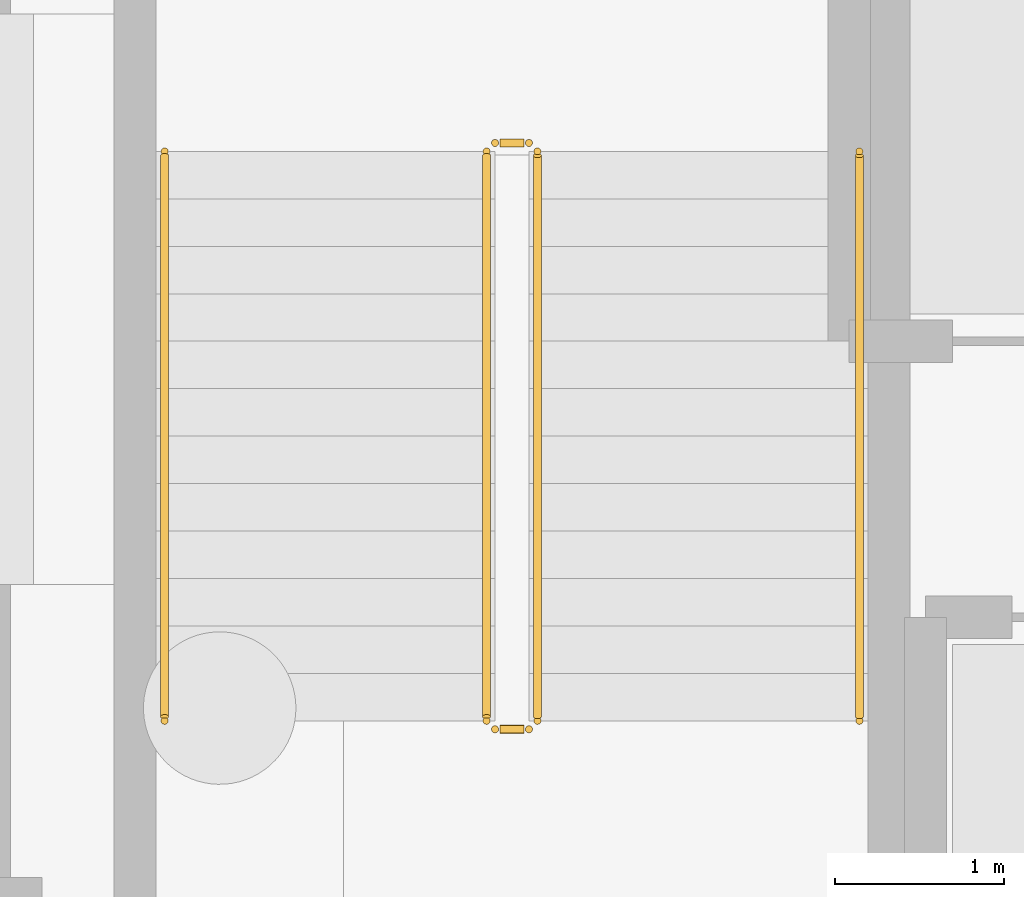
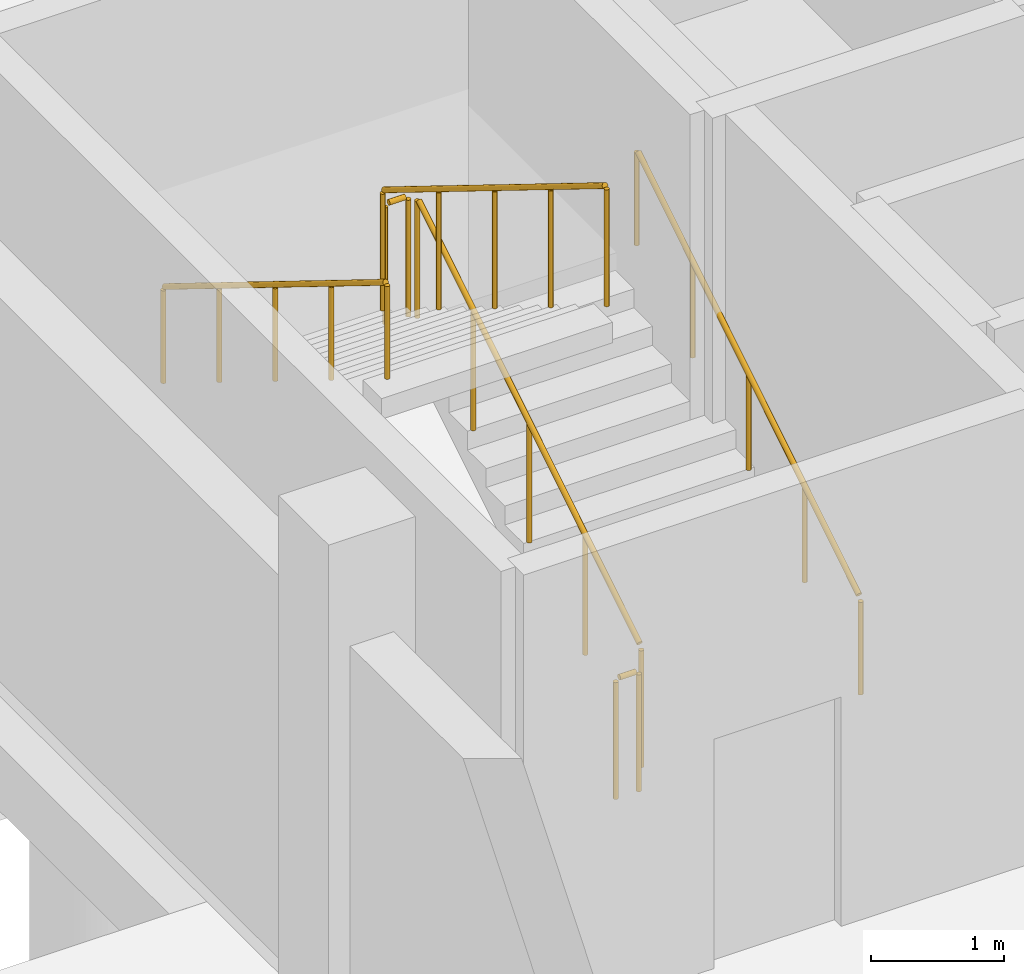
# One storey, part 18 of 22: 6 railings.
"""IFC4 building model written with IfcOpenShell, lengths in metres."""

from ifc_helpers import new_model, si_unit, direction, frame, origin, origin_2d, place, context, subcontext, project, spatial, circle, extrude, material, type_object, element, save


model = new_model("IFC4")

# Units and contexts
model_context = context("Model", 3, precision=1e-05, world=origin(), true_north=direction((0.0, 1.0)))
body_context = subcontext(model_context, "Body", "Model", "MODEL_VIEW")
ifc_project = project(units=[si_unit("LENGTHUNIT", "METRE"), si_unit("AREAUNIT", "SQUARE_METRE"), si_unit("VOLUMEUNIT", "CUBIC_METRE"), si_unit("PLANEANGLEUNIT", "RADIAN"), si_unit("MASSUNIT", "GRAM", prefix="KILO")], contexts=[model_context])

# Site, building, storey
site_placement = place(None, origin())
site = spatial("IfcSite", under=ifc_project, at=site_placement, CompositionType="ELEMENT")
building_placement = place(site_placement, origin())
building = spatial("IfcBuilding", under=site, at=building_placement, Name="Zuvorla Pavilion Media Centre", CompositionType="ELEMENT")
storey_placement = place(building_placement, frame((0.0, 0.0, -4.5)))
storey = spatial("IfcBuildingStorey", under=building, at=storey_placement, Name="B01", CompositionType="ELEMENT", Elevation=-4.5)

# Railings
ifc_material_1 = material(Name="Powder-coated steel balustrade guard", Category="steel")
railing_type_1 = type_object("IfcRailingType", Name="RL-INT-GRD", PredefinedType="BALUSTRADE", material=ifc_material_1)
railing_1_placement = place(storey_placement, frame((44.89990234375, 37.699951171875, 0.173095703125)))
element("IfcRailing", 1, at=railing_1_placement, inside=storey, type_object=railing_type_1, Name="B01 ST-03 stair guard 1", PredefinedType="BALUSTRADE", context=body_context, shape_type="SweptSolid", body=[
    extrude(circle(Radius=0.02392578125, at=origin_2d()), frame((0.0, 0.024658203125, 1.111328125), z_axis=(0.0, 0.850623216509, 0.525775754039), x_axis=(-1.0, 0.0, 0.0)), (0.0, 0.0, 1.0), 3.892578125),
    extrude(circle(Radius=0.02099609375, at=origin_2d()), origin(), (0.0, 0.0, 1.0), 1.070068359375),
    extrude(circle(Radius=0.02099609375, at=origin_2d()), frame((0.0, 0.840087890625, 0.519287109375)), (0.0, 0.0, 1.0), 1.070068359375),
    extrude(circle(Radius=0.02099609375, at=origin_2d()), frame((0.0, 1.68017578125, 1.03857421875)), (0.0, 0.0, 1.0), 1.070068359375),
    extrude(circle(Radius=0.02099609375, at=origin_2d()), frame((0.0, 2.52001953125, 1.5576171875)), (0.0, 0.0, 1.0), 1.070068359375),
    extrude(circle(Radius=0.02099609375, at=origin_2d()), frame((0.0, 3.360107421875, 2.076904296875)), (0.0, 0.0, 1.0), 1.070068359375),
])
railing_2_placement = place(storey_placement, frame((44.85009765625, 41.110107421875, 2.25)))
element("IfcRailing", 2, at=railing_2_placement, inside=storey, type_object=railing_type_1, Name="B01 ST-03 stair guard 2", PredefinedType="BALUSTRADE", context=body_context, shape_type="SweptSolid", body=[
    extrude(circle(Radius=0.02392578125, at=origin_2d()), frame((-0.02880859375, 0.0, 1.09619140625), z_axis=(-1.0, 0.0, 0.0), x_axis=(0.0, -1.0, 0.0)), (0.0, 0.0, 1.0), 0.142578125),
    extrude(circle(Radius=0.02099609375, at=origin_2d()), origin(), (0.0, 0.0, 1.0), 1.070068359375),
    extrude(circle(Radius=0.02099609375, at=origin_2d()), frame((-0.2001953125, 0.0, 0.0)), (0.0, 0.0, 1.0), 1.070068359375),
])
railing_3_placement = place(storey_placement, frame((44.60009765625, 41.06005859375, 2.423095703125)))
element("IfcRailing", 3, at=railing_3_placement, inside=storey, type_object=railing_type_1, Name="B01 ST-03 stair guard 3", PredefinedType="BALUSTRADE", context=body_context, shape_type="SweptSolid", body=[
    extrude(circle(Radius=0.02392578125, at=origin_2d()), frame((0.0, -0.024658203125, 1.111328125), z_axis=(0.0, -0.850623216509, 0.525775754039), x_axis=(1.0, 0.0, 0.0)), (0.0, 0.0, 1.0), 3.892578125),
    extrude(circle(Radius=0.02099609375, at=origin_2d()), origin(), (0.0, 0.0, 1.0), 1.070068359375),
    extrude(circle(Radius=0.02099609375, at=origin_2d()), frame((0.0, -0.840087890625, 0.519287109375)), (0.0, 0.0, 1.0), 1.070068359375),
    extrude(circle(Radius=0.02099609375, at=origin_2d()), frame((0.0, -1.68017578125, 1.03857421875)), (0.0, 0.0, 1.0), 1.070068359375),
    extrude(circle(Radius=0.02099609375, at=origin_2d()), frame((0.0, -2.52001953125, 1.5576171875)), (0.0, 0.0, 1.0), 1.070068359375),
    extrude(circle(Radius=0.02099609375, at=origin_2d()), frame((0.0, -3.360107421875, 2.076904296875)), (0.0, 0.0, 1.0), 1.070068359375),
])
railing_4_placement = place(storey_placement, frame((44.85009765625, 37.64990234375, 0.0)))
element("IfcRailing", 4, at=railing_4_placement, inside=storey, type_object=railing_type_1, Name="B01 ST-03 stair guard 4", PredefinedType="BALUSTRADE", context=body_context, shape_type="SweptSolid", body=[
    extrude(circle(Radius=0.02392578125, at=origin_2d()), frame((-0.02880859375, 0.0, 1.09619140625), z_axis=(-1.0, 0.0, 0.0), x_axis=(0.0, -1.0, 0.0)), (0.0, 0.0, 1.0), 0.142578125),
    extrude(circle(Radius=0.02099609375, at=origin_2d()), origin(), (0.0, 0.0, 1.0), 1.070068359375),
    extrude(circle(Radius=0.02099609375, at=origin_2d()), frame((-0.2001953125, 0.0, 0.0)), (0.0, 0.0, 1.0), 1.070068359375),
])
ifc_material_2 = material(Name="Brushed stainless steel tubular handrail", Category="steel")
railing_type_2 = type_object("IfcRailingType", Name="RL-INT-HND", PredefinedType="HANDRAIL", material=ifc_material_2)
railing_5_placement = place(storey_placement, frame((46.800048828125, 37.699951171875, 0.173095703125)))
element("IfcRailing", 5, at=railing_5_placement, inside=storey, type_object=railing_type_2, Name="B01 ST-03 handrail 1", PredefinedType="HANDRAIL", context=body_context, shape_type="SweptSolid", body=[
    extrude(circle(Radius=0.02392578125, at=origin_2d()), frame((0.0, 0.024658203125, 0.89111328125), z_axis=(0.0, 0.850623216509, 0.525775754039), x_axis=(-1.0, 0.0, 0.0)), (0.0, 0.0, 1.0), 3.892578125),
    extrude(circle(Radius=0.02099609375, at=origin_2d()), origin(), (0.0, 0.0, 1.0), 0.849853515625),
    extrude(circle(Radius=0.02099609375, at=origin_2d()), frame((0.0, 0.840087890625, 0.519287109375)), (0.0, 0.0, 1.0), 0.849853515625),
    extrude(circle(Radius=0.02099609375, at=origin_2d()), frame((0.0, 1.68017578125, 1.03857421875)), (0.0, 0.0, 1.0), 0.849853515625),
    extrude(circle(Radius=0.02099609375, at=origin_2d()), frame((0.0, 2.52001953125, 1.5576171875)), (0.0, 0.0, 1.0), 0.849853515625),
    extrude(circle(Radius=0.02099609375, at=origin_2d()), frame((0.0, 3.360107421875, 2.076904296875)), (0.0, 0.0, 1.0), 0.849853515625),
])
railing_6_placement = place(storey_placement, frame((42.699951171875, 41.06005859375, 2.423095703125)))
element("IfcRailing", 6, at=railing_6_placement, inside=storey, type_object=railing_type_2, Name="B01 ST-03 handrail 2", PredefinedType="HANDRAIL", context=body_context, shape_type="SweptSolid", body=[
    extrude(circle(Radius=0.02392578125, at=origin_2d()), frame((0.0, -0.024658203125, 0.89111328125), z_axis=(0.0, -0.850623216509, 0.525775754039), x_axis=(1.0, 0.0, 0.0)), (0.0, 0.0, 1.0), 3.892578125),
    extrude(circle(Radius=0.02099609375, at=origin_2d()), origin(), (0.0, 0.0, 1.0), 0.849853515625),
    extrude(circle(Radius=0.02099609375, at=origin_2d()), frame((0.0, -0.840087890625, 0.519287109375)), (0.0, 0.0, 1.0), 0.849853515625),
    extrude(circle(Radius=0.02099609375, at=origin_2d()), frame((0.0, -1.68017578125, 1.03857421875)), (0.0, 0.0, 1.0), 0.849853515625),
    extrude(circle(Radius=0.02099609375, at=origin_2d()), frame((0.0, -2.52001953125, 1.5576171875)), (0.0, 0.0, 1.0), 0.849853515625),
    extrude(circle(Radius=0.02099609375, at=origin_2d()), frame((0.0, -3.360107421875, 2.076904296875)), (0.0, 0.0, 1.0), 0.849853515625),
])

save(model, "model.ifc")
